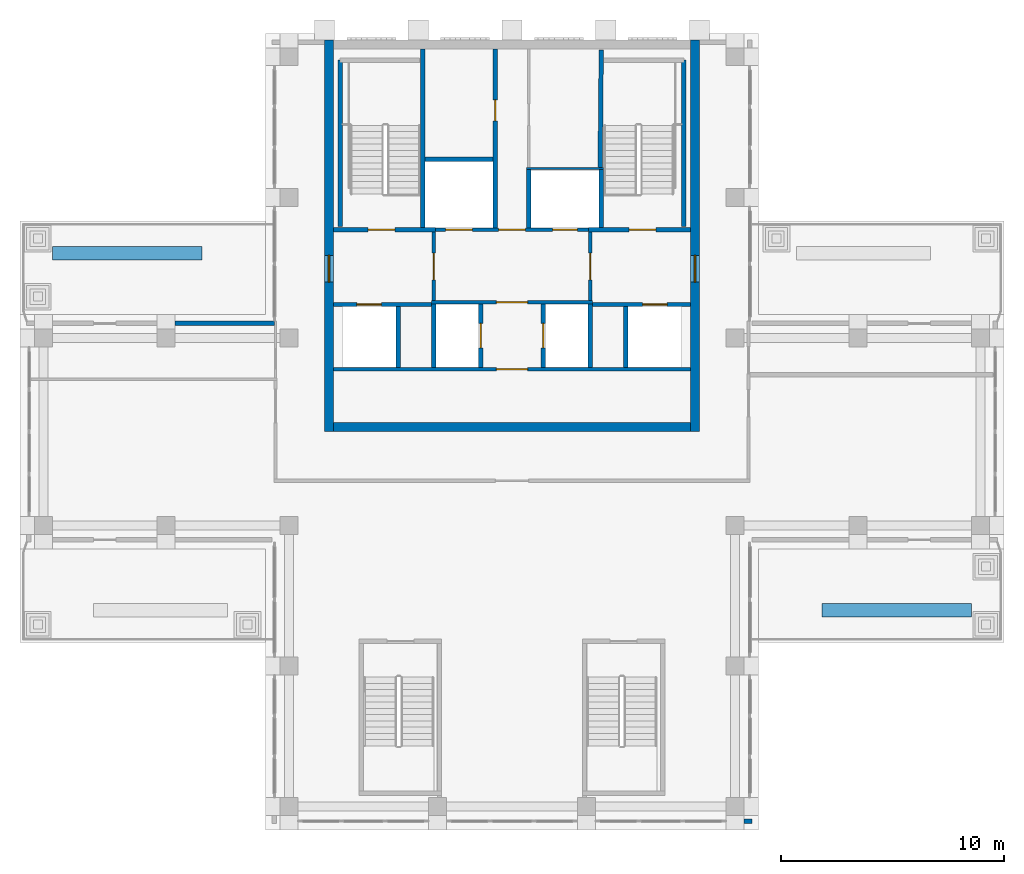
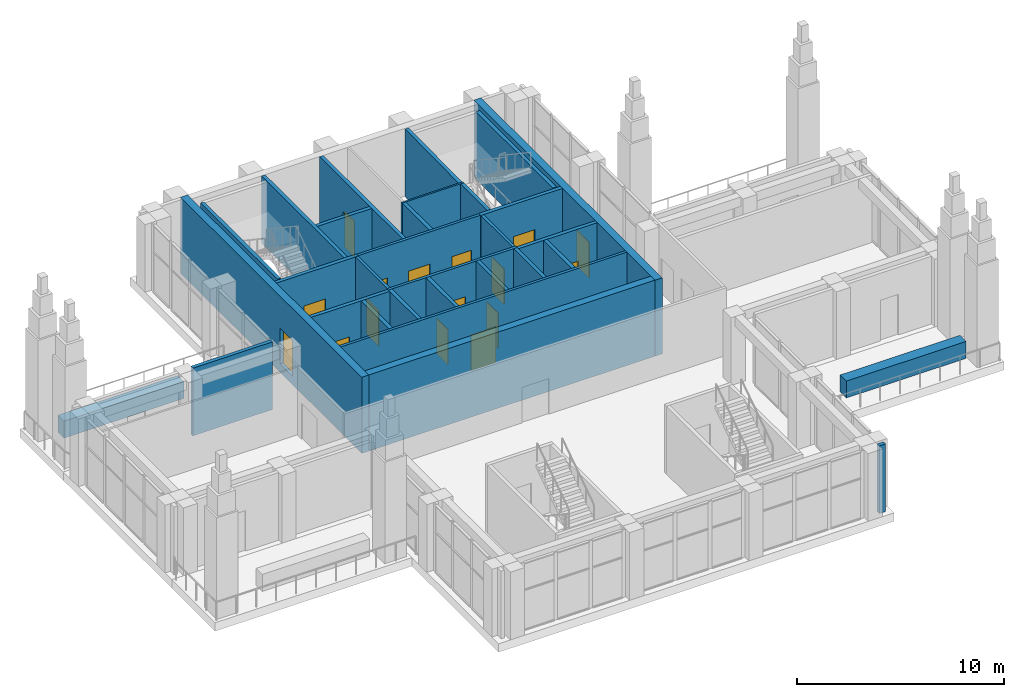
# One storey, part 9 of 14: 31 walls, 16 doors, 16 openings.
"""IFC4 building model written with IfcOpenShell, lengths in metres."""

from ifc_helpers import new_model, si_unit, direction, frame, frame_2d, origin, place, context, subcontext, project, spatial, rectangle, extrude, material, layer, layer_set, type_object, element, fill, save


model = new_model("IFC4")

# Units and contexts
model_context = context("Model", 3, precision=1e-05, world=origin(), true_north=direction((0.0, 1.0)))
body_context = subcontext(model_context, "Body", "Model", "MODEL_VIEW")
ifc_project = project(units=[si_unit("LENGTHUNIT", "METRE"), si_unit("AREAUNIT", "SQUARE_METRE"), si_unit("VOLUMEUNIT", "CUBIC_METRE"), si_unit("PLANEANGLEUNIT", "RADIAN"), si_unit("MASSUNIT", "GRAM", prefix="KILO")], contexts=[model_context])

# Site, building, storey
site_placement = place(None, origin())
site = spatial("IfcSite", under=ifc_project, at=site_placement, CompositionType="ELEMENT")
building_placement = place(site_placement, origin())
building = spatial("IfcBuilding", under=site, at=building_placement, Name="Vermilion Ogive Tower", CompositionType="ELEMENT")
storey_placement = place(building_placement, frame((0.0, 0.0, 284.85009765625)))
storey = spatial("IfcBuildingStorey", under=building, at=storey_placement, Name="L74", CompositionType="ELEMENT", Elevation=284.85009765625)

# Wall, opening, door
ifc_material_1 = material(Name="Concrete B60", Category="concrete")
ifc_layer_1 = layer(ifc_material_1, 0.39990234375)
ifc_layer_set_1 = layer_set([ifc_layer_1], Name="Core wall 400 B60")
wall_type_1 = type_object("IfcWallType", Name="Core wall 400 B60", PredefinedType="SHEAR", material=ifc_layer_set_1)
wall_1_placement = place(storey_placement, frame((8.199951171875, 4.199951171875, -0.5), z_axis=(0.0, 0.0, 1.0), x_axis=(0.0, 1.0, 0.0)))
wall_1 = element("IfcWall", 1, at=wall_1_placement, inside=storey, type_object=wall_type_1, Name="L74-CORE-E", PredefinedType="SHEAR", context=body_context, shape_type="SweptSolid", body=[
    extrude(rectangle(XDim=17.550048828125, YDim=0.39990234375, at=frame_2d((8.77490234375, 0.0))), origin(), (0.0, 0.0, 1.0), 4.5),
])
opening_1_placement = place(wall_1_placement, frame((6.699951171875, 0.0, 0.5)))
opening_1 = element("IfcOpeningElement", 2, at=opening_1_placement, cuts=wall_1, Name="Opening DAY004", PredefinedType="OPENING", context=body_context, shape_type="SweptSolid", body=[
    extrude(rectangle(XDim=1.199951171875, YDim=2.10009765625, at=frame_2d((0.60009765625, 1.050048828125))), frame((0.0, 0.2099609375, 0.0), z_axis=(0.0, -1.0, 0.0), x_axis=(1.0, 0.0, 0.0)), (0.0, 0.0, 1.0), 0.419921875),
])
ifc_material_2 = material(Name="Timber door leaf", Category="wood")
door_type_1 = type_object("IfcDoorType", Name="Link door 1200 x 2100 FD60S", OperationType="SINGLE_SWING_LEFT", PredefinedType="DOOR", material=ifc_material_2)
door_1_placement = place(opening_1_placement, origin())
door_1 = element("IfcDoor", 3, at=door_1_placement, inside=storey, type_object=door_type_1, Name="L74-CK-XD2", OperationType="SINGLE_SWING_LEFT", OverallHeight=2.10009765625, OverallWidth=1.199951171875, PredefinedType="DOOR", context=body_context, shape_type="SweptSolid", body=[
    extrude(rectangle(XDim=1.199951171875, YDim=2.10009765625, at=frame_2d((0.60009765625, 1.050048828125))), frame((0.0, 0.02490234375, 0.0), z_axis=(0.0, -1.0, 0.0), x_axis=(1.0, 0.0, 0.0)), (0.0, 0.0, 1.0), 0.050048828125),
])
fill(opening_1, door_1)

wall_2_placement = place(storey_placement, frame((-8.199951171875, 4.199951171875, -0.5), z_axis=(0.0, 0.0, 1.0), x_axis=(0.0, 1.0, 0.0)))
wall_2 = element("IfcWall", 4, at=wall_2_placement, inside=storey, type_object=wall_type_1, Name="L74-CORE-W", PredefinedType="SHEAR", context=body_context, shape_type="SweptSolid", body=[
    extrude(rectangle(XDim=17.550048828125, YDim=0.39990234375, at=frame_2d((8.77490234375, 0.0))), origin(), (0.0, 0.0, 1.0), 4.5),
])
opening_2_placement = place(wall_2_placement, frame((6.699951171875, 0.0, 0.5)))
opening_2 = element("IfcOpeningElement", 5, at=opening_2_placement, cuts=wall_2, Name="Opening DAZ004", PredefinedType="OPENING", context=body_context, shape_type="SweptSolid", body=[
    extrude(rectangle(XDim=1.199951171875, YDim=2.10009765625, at=frame_2d((0.60009765625, 1.050048828125))), frame((0.0, 0.2099609375, 0.0), z_axis=(0.0, -1.0, 0.0), x_axis=(1.0, 0.0, 0.0)), (0.0, 0.0, 1.0), 0.419921875),
])
door_2_placement = place(opening_2_placement, origin())
door_2 = element("IfcDoor", 6, at=door_2_placement, inside=storey, type_object=door_type_1, Name="L74-CK-XD1", OperationType="SINGLE_SWING_LEFT", OverallHeight=2.10009765625, OverallWidth=1.199951171875, PredefinedType="DOOR", context=body_context, shape_type="SweptSolid", body=[
    extrude(rectangle(XDim=1.199951171875, YDim=2.10009765625, at=frame_2d((0.60009765625, 1.050048828125))), frame((0.0, 0.02490234375, 0.0), z_axis=(0.0, -1.0, 0.0), x_axis=(1.0, 0.0, 0.0)), (0.0, 0.0, 1.0), 0.050048828125),
])
fill(opening_2, door_2)

# Walls
wall_3_placement = place(storey_placement, frame((-8.0, 4.39990234375, -0.5), z_axis=(0.0, 0.0, 1.0), x_axis=(1.0, 0.0, 0.0)))
element("IfcWall", 7, at=wall_3_placement, inside=storey, type_object=wall_type_1, Name="L74-CORE-S", PredefinedType="SHEAR", context=body_context, shape_type="SweptSolid", body=[
    extrude(rectangle(XDim=16.0, YDim=0.39990234375, at=frame_2d((8.0, 0.0))), origin(), (0.0, 0.0, 1.0), 4.5),
])
ifc_material_3 = material(Name="Gypsum board partition on steel studs", Category="steel")
ifc_layer_2 = layer(ifc_material_3, 0.10009765625)
ifc_layer_set_2 = layer_set([ifc_layer_2], Name="Partition 100 bath")
wall_type_2 = type_object("IfcWallType", Name="Partition 100 bath", PredefinedType="PARTITIONING", material=ifc_layer_set_2)
wall_4_placement = place(storey_placement, frame((0.64990234375, 16.0, 0.0), z_axis=(0.0, 0.0, 1.0), x_axis=(1.0, 0.0, 0.0)))
element("IfcWall", 8, at=wall_4_placement, inside=storey, type_object=wall_type_2, Name="L74-CK-W-W008", PredefinedType="PARTITIONING", context=body_context, shape_type="SweptSolid", body=[
    extrude(rectangle(XDim=3.4501953125, YDim=0.10009765625, at=frame_2d((1.72509765625, 0.0))), origin(), (0.0, 0.0, 1.0), 4.0),
])

# Wall, opening, door
ifc_material_4 = material(Name="Gypsum board partition on steel studs", Category="steel")
ifc_layer_3 = layer(ifc_material_4, 0.14990234375)
ifc_layer_set_3 = layer_set([ifc_layer_3], Name="Partition 150 corridor")
wall_type_3 = type_object("IfcWallType", Name="Partition 150 corridor", PredefinedType="PARTITIONING", material=ifc_layer_set_3)
wall_5_placement = place(storey_placement, frame((-7.9990234375, 7.0, 0.0), z_axis=(0.0, 0.0, 1.0), x_axis=(1.0, 0.0, 0.0)))
wall_5 = element("IfcWall", 9, at=wall_5_placement, inside=storey, type_object=wall_type_3, Name="L74-CK-W-W001", PredefinedType="PARTITIONING", context=body_context, shape_type="SweptSolid", body=[
    extrude(rectangle(XDim=15.998046875, YDim=0.14990234375, at=frame_2d((7.9990234375, 0.0))), origin(), (0.0, 0.0, 1.0), 4.0),
])
opening_3_placement = place(wall_5_placement, frame((7.299072265625, 0.0, 0.0)))
opening_3 = element("IfcOpeningElement", 10, at=opening_3_placement, cuts=wall_5, Name="Opening DAE043", PredefinedType="OPENING", context=body_context, shape_type="SweptSolid", body=[
    extrude(rectangle(XDim=1.39990234375, YDim=2.10009765625, at=frame_2d((0.699951171875, 1.050048828125))), frame((0.0, 0.0849609375, 0.0), z_axis=(0.0, -1.0, 0.0), x_axis=(1.0, 0.0, 0.0)), (0.0, 0.0, 1.0), 0.169921875),
])
ifc_material_5 = material(Name="Timber door leaf", Category="wood")
door_type_2 = type_object("IfcDoorType", Name="Lobby door 1400 x 2100 FD60S", OperationType="SINGLE_SWING_LEFT", PredefinedType="DOOR", material=ifc_material_5)
door_3_placement = place(opening_3_placement, origin())
door_3 = element("IfcDoor", 11, at=door_3_placement, inside=storey, type_object=door_type_2, Name="L74-CK-D-D005", OperationType="SINGLE_SWING_RIGHT", OverallHeight=2.10009765625, OverallWidth=1.39990234375, PredefinedType="DOOR", context=body_context, shape_type="SweptSolid", body=[
    extrude(rectangle(XDim=1.39990234375, YDim=2.10009765625, at=frame_2d((0.699951171875, 1.050048828125))), frame((0.0, 0.02490234375, 0.0), z_axis=(0.0, -1.0, 0.0), x_axis=(1.0, 0.0, 0.0)), (0.0, 0.0, 1.0), 0.050048828125),
])
fill(opening_3, door_3)

wall_6_placement = place(storey_placement, frame((-3.60009765625, 10.0, 0.0), z_axis=(0.0, 0.0, 1.0), x_axis=(1.0, 0.0, 0.0)))
wall_6 = element("IfcWall", 12, at=wall_6_placement, inside=storey, type_object=wall_type_3, Name="L74-CK-W-W004", PredefinedType="PARTITIONING", context=body_context, shape_type="SweptSolid", body=[
    extrude(rectangle(XDim=7.2001953125, YDim=0.14990234375, at=frame_2d((3.60009765625, 0.0))), origin(), (0.0, 0.0, 1.0), 4.0),
])
opening_4_placement = place(wall_6_placement, frame((2.900146484375, 0.0, 0.0)))
opening_4 = element("IfcOpeningElement", 13, at=opening_4_placement, cuts=wall_6, Name="Opening DAE044", PredefinedType="OPENING", context=body_context, shape_type="SweptSolid", body=[
    extrude(rectangle(XDim=1.39990234375, YDim=2.10009765625, at=frame_2d((0.699951171875, 1.050048828125))), frame((0.0, 0.0849609375, 0.0), z_axis=(0.0, -1.0, 0.0), x_axis=(1.0, 0.0, 0.0)), (0.0, 0.0, 1.0), 0.169921875),
])
door_4_placement = place(opening_4_placement, origin())
door_4 = element("IfcDoor", 14, at=door_4_placement, inside=storey, type_object=door_type_2, Name="L74-CK-D-D006", OperationType="SINGLE_SWING_RIGHT", OverallHeight=2.10009765625, OverallWidth=1.39990234375, PredefinedType="DOOR", context=body_context, shape_type="SweptSolid", body=[
    extrude(rectangle(XDim=1.39990234375, YDim=2.10009765625, at=frame_2d((0.699951171875, 1.050048828125))), frame((0.0, 0.02490234375, 0.0), z_axis=(0.0, -1.0, 0.0), x_axis=(1.0, 0.0, 0.0)), (0.0, 0.0, 1.0), 0.050048828125),
])
fill(opening_4, door_4)

# Wall, openings, doors
wall_7_placement = place(storey_placement, frame((-3.574951171875, 13.25, 0.0), z_axis=(0.0, 0.0, 1.0), x_axis=(1.0, 0.0, 0.0)))
wall_7 = element("IfcWall", 15, at=wall_7_placement, inside=storey, type_object=wall_type_3, Name="L74-CK-W-W006", PredefinedType="PARTITIONING", context=body_context, shape_type="SweptSolid", body=[
    extrude(rectangle(XDim=7.14990234375, YDim=0.14990234375, at=frame_2d((3.574951171875, 0.0))), origin(), (0.0, 0.0, 1.0), 4.0),
])
opening_5_placement = place(wall_7_placement, frame((0.599853515625, 0.0, 0.0)))
opening_5 = element("IfcOpeningElement", 16, at=opening_5_placement, cuts=wall_7, Name="Opening DAE055", PredefinedType="OPENING", context=body_context, shape_type="SweptSolid", body=[
    extrude(rectangle(XDim=1.199951171875, YDim=2.10009765625, at=frame_2d((0.60009765625, 1.050048828125))), frame((0.0, 0.0849609375, 0.0), z_axis=(0.0, -1.0, 0.0), x_axis=(1.0, 0.0, 0.0)), (0.0, 0.0, 1.0), 0.169921875),
])
opening_6_placement = place(wall_7_placement, frame((5.39990234375, 0.0, 0.0)))
opening_6 = element("IfcOpeningElement", 17, at=opening_6_placement, cuts=wall_7, Name="Opening DAE054", PredefinedType="OPENING", context=body_context, shape_type="SweptSolid", body=[
    extrude(rectangle(XDim=1.10009765625, YDim=2.10009765625, at=frame_2d((0.550048828125, 1.050048828125))), frame((0.0, 0.0849609375, 0.0), z_axis=(0.0, -1.0, 0.0), x_axis=(1.0, 0.0, 0.0)), (0.0, 0.0, 1.0), 0.169921875),
])
opening_7_placement = place(wall_7_placement, frame((2.974853515625, 0.0, 0.0)))
opening_7 = element("IfcOpeningElement", 18, at=opening_7_placement, cuts=wall_7, Name="Opening DAE045", PredefinedType="OPENING", context=body_context, shape_type="SweptSolid", body=[
    extrude(rectangle(XDim=1.199951171875, YDim=2.10009765625, at=frame_2d((0.60009765625, 1.050048828125))), frame((0.0, 0.0849609375, 0.0), z_axis=(0.0, -1.0, 0.0), x_axis=(1.0, 0.0, 0.0)), (0.0, 0.0, 1.0), 0.169921875),
])
ifc_material_6 = material(Name="Stainless steel", Category="steel")
door_type_3 = type_object("IfcDoorType", Name="Lift landing door 1100 x 2100", OperationType="SLIDING_TO_LEFT", PredefinedType="DOOR", material=ifc_material_6)
door_5_placement = place(opening_6_placement, origin())
door_5 = element("IfcDoor", 19, at=door_5_placement, inside=storey, type_object=door_type_3, Name="L74-CK-D-D010", OperationType="SLIDING_TO_LEFT", OverallHeight=2.10009765625, OverallWidth=1.10009765625, PredefinedType="DOOR", context=body_context, shape_type="SweptSolid", body=[
    extrude(rectangle(XDim=1.10009765625, YDim=2.10009765625, at=frame_2d((0.550048828125, 1.050048828125))), frame((0.0, 0.02490234375, 0.0), z_axis=(0.0, -1.0, 0.0), x_axis=(1.0, 0.0, 0.0)), (0.0, 0.0, 1.0), 0.050048828125),
])
fill(opening_6, door_5)
ifc_material_7 = material(Name="Stainless steel", Category="steel")
door_type_4 = type_object("IfcDoorType", Name="Lift landing door 1200 x 2100", OperationType="SLIDING_TO_LEFT", PredefinedType="DOOR", material=ifc_material_7)
door_6_placement = place(opening_5_placement, origin())
door_6 = element("IfcDoor", 20, at=door_6_placement, inside=storey, type_object=door_type_4, Name="L74-CK-D-D009", OperationType="SLIDING_TO_RIGHT", OverallHeight=2.10009765625, OverallWidth=1.199951171875, PredefinedType="DOOR", context=body_context, shape_type="SweptSolid", body=[
    extrude(rectangle(XDim=1.199951171875, YDim=2.10009765625, at=frame_2d((0.60009765625, 1.050048828125))), frame((0.0, 0.02490234375, 0.0), z_axis=(0.0, -1.0, 0.0), x_axis=(1.0, 0.0, 0.0)), (0.0, 0.0, 1.0), 0.050048828125),
])
fill(opening_5, door_6)
ifc_material_8 = material(Name="Timber door leaf", Category="wood")
door_type_5 = type_object("IfcDoorType", Name="Service door 1200 x 2100 FD60", OperationType="SINGLE_SWING_LEFT", PredefinedType="DOOR", material=ifc_material_8)
door_7_placement = place(opening_7_placement, origin())
door_7 = element("IfcDoor", 21, at=door_7_placement, inside=storey, type_object=door_type_5, Name="L74-CK-D-D011", OperationType="SINGLE_SWING_RIGHT", OverallHeight=2.10009765625, OverallWidth=1.199951171875, PredefinedType="DOOR", context=body_context, shape_type="SweptSolid", body=[
    extrude(rectangle(XDim=1.199951171875, YDim=2.10009765625, at=frame_2d((0.60009765625, 1.050048828125))), frame((0.0, 0.02490234375, 0.0), z_axis=(0.0, -1.0, 0.0), x_axis=(1.0, 0.0, 0.0)), (0.0, 0.0, 1.0), 0.050048828125),
])
fill(opening_7, door_7)

# Wall, opening, door
wall_8_placement = place(storey_placement, frame((-3.5, 10.074951171875, 0.0), z_axis=(0.0, 0.0, 1.0), x_axis=(0.0, 1.0, 0.0)))
wall_8 = element("IfcWall", 22, at=wall_8_placement, inside=storey, type_object=wall_type_3, Name="L74-CK-W-W013", PredefinedType="PARTITIONING", context=body_context, shape_type="SweptSolid", body=[
    extrude(rectangle(XDim=3.074951171875, YDim=0.14990234375, at=frame_2d((1.53759765625, 0.0))), origin(), (0.0, 0.0, 1.0), 4.0),
])
opening_8_placement = place(wall_8_placement, frame((0.925048828125, 0.0, 0.0)))
opening_8 = element("IfcOpeningElement", 23, at=opening_8_placement, cuts=wall_8, Name="Opening DAE041", PredefinedType="OPENING", context=body_context, shape_type="SweptSolid", body=[
    extrude(rectangle(XDim=1.199951171875, YDim=2.10009765625, at=frame_2d((0.60009765625, 1.050048828125))), frame((0.0, 0.0849609375, 0.0), z_axis=(0.0, -1.0, 0.0), x_axis=(1.0, 0.0, 0.0)), (0.0, 0.0, 1.0), 0.169921875),
])
ifc_material_9 = material(Name="Timber door leaf", Category="wood")
door_type_6 = type_object("IfcDoorType", Name="Lobby door 1200 x 2100 FD60S", OperationType="SINGLE_SWING_LEFT", PredefinedType="DOOR", material=ifc_material_9)
door_8_placement = place(opening_8_placement, origin())
door_8 = element("IfcDoor", 24, at=door_8_placement, inside=storey, type_object=door_type_6, Name="L74-CK-D-D014", OperationType="SINGLE_SWING_RIGHT", OverallHeight=2.10009765625, OverallWidth=1.199951171875, PredefinedType="DOOR", context=body_context, shape_type="SweptSolid", body=[
    extrude(rectangle(XDim=1.199951171875, YDim=2.10009765625, at=frame_2d((0.60009765625, 1.050048828125))), frame((0.0, 0.02490234375, 0.0), z_axis=(0.0, -1.0, 0.0), x_axis=(1.0, 0.0, 0.0)), (0.0, 0.0, 1.0), 0.050048828125),
])
fill(opening_8, door_8)

wall_9_placement = place(storey_placement, frame((3.5, 10.074951171875, 0.0), z_axis=(0.0, 0.0, 1.0), x_axis=(0.0, 1.0, 0.0)))
wall_9 = element("IfcWall", 25, at=wall_9_placement, inside=storey, type_object=wall_type_3, Name="L74-CK-W-W020", PredefinedType="PARTITIONING", context=body_context, shape_type="SweptSolid", body=[
    extrude(rectangle(XDim=3.074951171875, YDim=0.14990234375, at=frame_2d((1.53759765625, 0.0))), origin(), (0.0, 0.0, 1.0), 4.0),
])
opening_9_placement = place(wall_9_placement, frame((0.925048828125, 0.0, 0.0)))
opening_9 = element("IfcOpeningElement", 26, at=opening_9_placement, cuts=wall_9, Name="Opening DAE042", PredefinedType="OPENING", context=body_context, shape_type="SweptSolid", body=[
    extrude(rectangle(XDim=1.199951171875, YDim=2.10009765625, at=frame_2d((0.60009765625, 1.050048828125))), frame((0.0, 0.0849609375, 0.0), z_axis=(0.0, -1.0, 0.0), x_axis=(1.0, 0.0, 0.0)), (0.0, 0.0, 1.0), 0.169921875),
])
door_9_placement = place(opening_9_placement, origin())
door_9 = element("IfcDoor", 27, at=door_9_placement, inside=storey, type_object=door_type_6, Name="L74-CK-D-D015", OperationType="SINGLE_SWING_LEFT", OverallHeight=2.10009765625, OverallWidth=1.199951171875, PredefinedType="DOOR", context=body_context, shape_type="SweptSolid", body=[
    extrude(rectangle(XDim=1.199951171875, YDim=2.10009765625, at=frame_2d((0.60009765625, 1.050048828125))), frame((0.0, 0.02490234375, 0.0), z_axis=(0.0, -1.0, 0.0), x_axis=(1.0, 0.0, 0.0)), (0.0, 0.0, 1.0), 0.050048828125),
])
fill(opening_9, door_9)

ifc_material_10 = material(Name="Gypsum board partition on steel studs", Category="steel")
ifc_layer_4 = layer(ifc_material_10, 0.199951171875)
ifc_layer_set_4 = layer_set([ifc_layer_4], Name="Partition 200 party")
wall_type_4 = type_object("IfcWallType", Name="Partition 200 party", PredefinedType="PARTITIONING", material=ifc_layer_set_4)
wall_10_placement = place(storey_placement, frame((-7.9990234375, 9.89990234375, 0.0), z_axis=(0.0, 0.0, 1.0), x_axis=(1.0, 0.0, 0.0)))
wall_10 = element("IfcWall", 28, at=wall_10_placement, inside=storey, type_object=wall_type_4, Name="L74-CK-W-W002", PredefinedType="PARTITIONING", context=body_context, shape_type="SweptSolid", body=[
    extrude(rectangle(XDim=4.39892578125, YDim=0.199951171875, at=frame_2d((2.199462890625, 0.0))), origin(), (0.0, 0.0, 1.0), 4.0),
])
opening_10_placement = place(wall_10_placement, frame((1.049072265625, 0.0, 0.0)))
opening_10 = element("IfcOpeningElement", 29, at=opening_10_placement, cuts=wall_10, Name="Opening DAE050", PredefinedType="OPENING", context=body_context, shape_type="SweptSolid", body=[
    extrude(rectangle(XDim=1.10009765625, YDim=2.10009765625, at=frame_2d((0.550048828125, 1.050048828125))), frame((0.0, 0.10986328125, 0.0), z_axis=(0.0, -1.0, 0.0), x_axis=(1.0, 0.0, 0.0)), (0.0, 0.0, 1.0), 0.219970703125),
])
door_10_placement = place(opening_10_placement, origin())
door_10 = element("IfcDoor", 30, at=door_10_placement, inside=storey, type_object=door_type_3, Name="L74-CK-D-D002", OperationType="SLIDING_TO_LEFT", OverallHeight=2.10009765625, OverallWidth=1.10009765625, PredefinedType="DOOR", context=body_context, shape_type="SweptSolid", body=[
    extrude(rectangle(XDim=1.10009765625, YDim=2.10009765625, at=frame_2d((0.550048828125, 1.050048828125))), frame((0.0, 0.02490234375, 0.0), z_axis=(0.0, -1.0, 0.0), x_axis=(1.0, 0.0, 0.0)), (0.0, 0.0, 1.0), 0.050048828125),
])
fill(opening_10, door_10)

wall_11_placement = place(storey_placement, frame((3.60009765625, 9.89990234375, 0.0), z_axis=(0.0, 0.0, 1.0), x_axis=(1.0, 0.0, 0.0)))
wall_11 = element("IfcWall", 31, at=wall_11_placement, inside=storey, type_object=wall_type_4, Name="L74-CK-W-W003", PredefinedType="PARTITIONING", context=body_context, shape_type="SweptSolid", body=[
    extrude(rectangle(XDim=4.39892578125, YDim=0.199951171875, at=frame_2d((2.199462890625, 0.0))), origin(), (0.0, 0.0, 1.0), 4.0),
])
opening_11_placement = place(wall_11_placement, frame((2.25, 0.0, 0.0)))
opening_11 = element("IfcOpeningElement", 32, at=opening_11_placement, cuts=wall_11, Name="Opening DAE051", PredefinedType="OPENING", context=body_context, shape_type="SweptSolid", body=[
    extrude(rectangle(XDim=1.10009765625, YDim=2.10009765625, at=frame_2d((0.550048828125, 1.050048828125))), frame((0.0, 0.10986328125, 0.0), z_axis=(0.0, -1.0, 0.0), x_axis=(1.0, 0.0, 0.0)), (0.0, 0.0, 1.0), 0.219970703125),
])
door_11_placement = place(opening_11_placement, origin())
door_11 = element("IfcDoor", 33, at=door_11_placement, inside=storey, type_object=door_type_3, Name="L74-CK-D-D004", OperationType="SLIDING_TO_LEFT", OverallHeight=2.10009765625, OverallWidth=1.10009765625, PredefinedType="DOOR", context=body_context, shape_type="SweptSolid", body=[
    extrude(rectangle(XDim=1.10009765625, YDim=2.10009765625, at=frame_2d((0.550048828125, 1.050048828125))), frame((0.0, 0.02490234375, 0.0), z_axis=(0.0, -1.0, 0.0), x_axis=(1.0, 0.0, 0.0)), (0.0, 0.0, 1.0), 0.050048828125),
])
fill(opening_11, door_11)

# Walls
wall_12_placement = place(storey_placement, frame((-3.89990234375, 16.39990234375, 0.0), z_axis=(0.0, 0.0, 1.0), x_axis=(1.0, 0.0, 0.0)))
element("IfcWall", 34, at=wall_12_placement, inside=storey, type_object=wall_type_4, Name="L74-CK-W-W009", PredefinedType="PARTITIONING", context=body_context, shape_type="SweptSolid", body=[
    extrude(rectangle(XDim=3.0498046875, YDim=0.199951171875, at=frame_2d((1.52490234375, 0.0))), origin(), (0.0, 0.0, 1.0), 4.0),
])
wall_13_placement = place(storey_placement, frame((-5.10009765625, 7.074951171875, 0.0), z_axis=(0.0, 0.0, 1.0), x_axis=(0.0, 1.0, 0.0)))
element("IfcWall", 35, at=wall_13_placement, inside=storey, type_object=wall_type_4, Name="L74-CK-W-W010", PredefinedType="PARTITIONING", context=body_context, shape_type="SweptSolid", body=[
    extrude(rectangle(XDim=2.72509765625, YDim=0.199951171875, at=frame_2d((1.362548828125, 0.0))), origin(), (0.0, 0.0, 1.0), 4.0),
])
wall_14_placement = place(storey_placement, frame((-3.5, 7.074951171875, 0.0), z_axis=(0.0, 0.0, 1.0), x_axis=(0.0, 1.0, 0.0)))
element("IfcWall", 36, at=wall_14_placement, inside=storey, type_object=wall_type_4, Name="L74-CK-W-W012", PredefinedType="PARTITIONING", context=body_context, shape_type="SweptSolid", body=[
    extrude(rectangle(XDim=2.85009765625, YDim=0.199951171875, at=frame_2d((1.425048828125, 0.0))), origin(), (0.0, 0.0, 1.0), 4.0),
])

# Wall, opening, door
wall_15_placement = place(storey_placement, frame((-1.39990234375, 7.074951171875, 0.0), z_axis=(0.0, 0.0, 1.0), x_axis=(0.0, 1.0, 0.0)))
wall_15 = element("IfcWall", 37, at=wall_15_placement, inside=storey, type_object=wall_type_4, Name="L74-CK-W-W014", PredefinedType="PARTITIONING", context=body_context, shape_type="SweptSolid", body=[
    extrude(rectangle(XDim=2.85009765625, YDim=0.199951171875, at=frame_2d((1.425048828125, 0.0))), origin(), (0.0, 0.0, 1.0), 4.0),
])
opening_12_placement = place(wall_15_placement, frame((0.875, 0.0, 0.0)))
opening_12 = element("IfcOpeningElement", 38, at=opening_12_placement, cuts=wall_15, Name="Opening DAE052", PredefinedType="OPENING", context=body_context, shape_type="SweptSolid", body=[
    extrude(rectangle(XDim=1.10009765625, YDim=2.10009765625, at=frame_2d((0.550048828125, 1.050048828125))), frame((0.0, 0.10986328125, 0.0), z_axis=(0.0, -1.0, 0.0), x_axis=(1.0, 0.0, 0.0)), (0.0, 0.0, 1.0), 0.219970703125),
])
door_12_placement = place(opening_12_placement, origin())
door_12 = element("IfcDoor", 39, at=door_12_placement, inside=storey, type_object=door_type_3, Name="L74-CK-D-D007", OperationType="SLIDING_TO_RIGHT", OverallHeight=2.10009765625, OverallWidth=1.10009765625, PredefinedType="DOOR", context=body_context, shape_type="SweptSolid", body=[
    extrude(rectangle(XDim=1.10009765625, YDim=2.10009765625, at=frame_2d((0.550048828125, 1.050048828125))), frame((0.0, 0.02490234375, 0.0), z_axis=(0.0, -1.0, 0.0), x_axis=(1.0, 0.0, 0.0)), (0.0, 0.0, 1.0), 0.050048828125),
])
fill(opening_12, door_12)

wall_16_placement = place(storey_placement, frame((-0.75, 13.324951171875, 0.0), z_axis=(0.0, 0.0, 1.0), x_axis=(0.0, 1.0, 0.0)))
wall_16 = element("IfcWall", 40, at=wall_16_placement, inside=storey, type_object=wall_type_4, Name="L74-CK-W-W015", PredefinedType="PARTITIONING", context=body_context, shape_type="SweptSolid", body=[
    extrude(rectangle(XDim=8.024169921875, YDim=0.199951171875, at=frame_2d((4.01220703125, 0.0))), origin(), (0.0, 0.0, 1.0), 4.0),
])
opening_13_placement = place(wall_16_placement, frame((4.800048828125, 0.0, 0.0)))
opening_13 = element("IfcOpeningElement", 41, at=opening_13_placement, cuts=wall_16, Name="Opening DAE046", PredefinedType="OPENING", context=body_context, shape_type="SweptSolid", body=[
    extrude(rectangle(XDim=0.949951171875, YDim=2.10009765625, at=frame_2d((0.47509765625, 1.050048828125))), frame((0.0, 0.10986328125, 0.0), z_axis=(0.0, -1.0, 0.0), x_axis=(1.0, 0.0, 0.0)), (0.0, 0.0, 1.0), 0.219970703125),
])
ifc_material_11 = material(Name="Timber door leaf", Category="wood")
door_type_7 = type_object("IfcDoorType", Name="Service door 950 x 2100 FD60", OperationType="SINGLE_SWING_LEFT", PredefinedType="DOOR", material=ifc_material_11)
door_13_placement = place(opening_13_placement, origin())
door_13 = element("IfcDoor", 42, at=door_13_placement, inside=storey, type_object=door_type_7, Name="L74-CK-D-D012", OperationType="SINGLE_SWING_RIGHT", OverallHeight=2.10009765625, OverallWidth=0.949951171875, PredefinedType="DOOR", context=body_context, shape_type="SweptSolid", body=[
    extrude(rectangle(XDim=0.949951171875, YDim=2.10009765625, at=frame_2d((0.47509765625, 1.050048828125))), frame((0.0, 0.02490234375, 0.0), z_axis=(0.0, -1.0, 0.0), x_axis=(1.0, 0.0, 0.0)), (0.0, 0.0, 1.0), 0.050048828125),
])
fill(opening_13, door_13)

# Wall
wall_17_placement = place(storey_placement, frame((0.75, 13.324951171875, 0.0), z_axis=(0.0, 0.0, 1.0), x_axis=(0.0, 1.0, 0.0)))
element("IfcWall", 43, at=wall_17_placement, inside=storey, type_object=wall_type_4, Name="L74-CK-W-W016", PredefinedType="PARTITIONING", context=body_context, shape_type="SweptSolid", body=[
    extrude(rectangle(XDim=2.625, YDim=0.199951171875, at=frame_2d((1.3125, 0.0))), origin(), (0.0, 0.0, 1.0), 4.0),
])

# Wall, opening, door
wall_18_placement = place(storey_placement, frame((1.39990234375, 7.074951171875, 0.0), z_axis=(0.0, 0.0, 1.0), x_axis=(0.0, 1.0, 0.0)))
wall_18 = element("IfcWall", 44, at=wall_18_placement, inside=storey, type_object=wall_type_4, Name="L74-CK-W-W018", PredefinedType="PARTITIONING", context=body_context, shape_type="SweptSolid", body=[
    extrude(rectangle(XDim=2.85009765625, YDim=0.199951171875, at=frame_2d((1.425048828125, 0.0))), origin(), (0.0, 0.0, 1.0), 4.0),
])
opening_14_placement = place(wall_18_placement, frame((0.875, 0.0, 0.0)))
opening_14 = element("IfcOpeningElement", 45, at=opening_14_placement, cuts=wall_18, Name="Opening DAE053", PredefinedType="OPENING", context=body_context, shape_type="SweptSolid", body=[
    extrude(rectangle(XDim=1.10009765625, YDim=2.10009765625, at=frame_2d((0.550048828125, 1.050048828125))), frame((0.0, 0.10986328125, 0.0), z_axis=(0.0, -1.0, 0.0), x_axis=(1.0, 0.0, 0.0)), (0.0, 0.0, 1.0), 0.219970703125),
])
door_14_placement = place(opening_14_placement, origin())
door_14 = element("IfcDoor", 46, at=door_14_placement, inside=storey, type_object=door_type_3, Name="L74-CK-D-D008", OperationType="SLIDING_TO_RIGHT", OverallHeight=2.10009765625, OverallWidth=1.10009765625, PredefinedType="DOOR", context=body_context, shape_type="SweptSolid", body=[
    extrude(rectangle(XDim=1.10009765625, YDim=2.10009765625, at=frame_2d((0.550048828125, 1.050048828125))), frame((0.0, 0.02490234375, 0.0), z_axis=(0.0, -1.0, 0.0), x_axis=(1.0, 0.0, 0.0)), (0.0, 0.0, 1.0), 0.050048828125),
])
fill(opening_14, door_14)

# Walls
wall_19_placement = place(storey_placement, frame((3.5, 7.074951171875, 0.0), z_axis=(0.0, 0.0, 1.0), x_axis=(0.0, 1.0, 0.0)))
element("IfcWall", 47, at=wall_19_placement, inside=storey, type_object=wall_type_4, Name="L74-CK-W-W019", PredefinedType="PARTITIONING", context=body_context, shape_type="SweptSolid", body=[
    extrude(rectangle(XDim=2.85009765625, YDim=0.199951171875, at=frame_2d((1.425048828125, 0.0))), origin(), (0.0, 0.0, 1.0), 4.0),
])
wall_20_placement = place(storey_placement, frame((5.10009765625, 7.074951171875, 0.0), z_axis=(0.0, 0.0, 1.0), x_axis=(0.0, 1.0, 0.0)))
element("IfcWall", 48, at=wall_20_placement, inside=storey, type_object=wall_type_4, Name="L74-CK-W-W023", PredefinedType="PARTITIONING", context=body_context, shape_type="SweptSolid", body=[
    extrude(rectangle(XDim=2.72509765625, YDim=0.199951171875, at=frame_2d((1.362548828125, 0.0))), origin(), (0.0, 0.0, 1.0), 4.0),
])

# Wall, opening, door
ifc_material_12 = material(Name="Concrete B60", Category="concrete")
ifc_layer_5 = layer(ifc_material_12, 0.199951171875)
ifc_layer_set_5 = layer_set([ifc_layer_5], Name="Stair shaft wall 200 Concrete B60")
wall_type_5 = type_object("IfcWallType", Name="Stair shaft wall 200 Concrete B60", PredefinedType="SOLIDWALL", material=ifc_layer_set_5)
wall_21_placement = place(storey_placement, frame((-7.9990234375, 13.25, 0.0), z_axis=(0.0, 0.0, 1.0), x_axis=(1.0, 0.0, 0.0)))
wall_21 = element("IfcWall", 49, at=wall_21_placement, inside=storey, type_object=wall_type_5, Name="L74-CK-W-W005", PredefinedType="SOLIDWALL", context=body_context, shape_type="SweptSolid", body=[
    extrude(rectangle(XDim=4.573974609375, YDim=0.199951171875, at=frame_2d((2.287109375, 0.0))), origin(), (0.0, 0.0, 1.0), 4.0),
])
opening_15_placement = place(wall_21_placement, frame((1.549072265625, 0.0, 0.0)))
opening_15 = element("IfcOpeningElement", 50, at=opening_15_placement, cuts=wall_21, Name="Opening DAE048", PredefinedType="OPENING", context=body_context, shape_type="SweptSolid", body=[
    extrude(rectangle(XDim=1.199951171875, YDim=2.10009765625, at=frame_2d((0.60009765625, 1.050048828125))), frame((0.0, 0.10986328125, 0.0), z_axis=(0.0, -1.0, 0.0), x_axis=(1.0, 0.0, 0.0)), (0.0, 0.0, 1.0), 0.219970703125),
])
ifc_material_13 = material(Name="Timber door leaf", Category="wood")
door_type_8 = type_object("IfcDoorType", Name="Stair door 1200 x 2100 FD60S", OperationType="SINGLE_SWING_LEFT", PredefinedType="DOOR", material=ifc_material_13)
door_15_placement = place(opening_15_placement, origin())
door_15 = element("IfcDoor", 51, at=door_15_placement, inside=storey, type_object=door_type_8, Name="L74-CK-D-D001", OperationType="SINGLE_SWING_LEFT", OverallHeight=2.10009765625, OverallWidth=1.199951171875, PredefinedType="DOOR", context=body_context, shape_type="SweptSolid", body=[
    extrude(rectangle(XDim=1.199951171875, YDim=2.10009765625, at=frame_2d((0.60009765625, 1.050048828125))), frame((0.0, 0.02490234375, 0.0), z_axis=(0.0, -1.0, 0.0), x_axis=(1.0, 0.0, 0.0)), (0.0, 0.0, 1.0), 0.050048828125),
])
fill(opening_15, door_15)

wall_22_placement = place(storey_placement, frame((3.425048828125, 13.25, 0.0), z_axis=(0.0, 0.0, 1.0), x_axis=(1.0, 0.0, 0.0)))
wall_22 = element("IfcWall", 52, at=wall_22_placement, inside=storey, type_object=wall_type_5, Name="L74-CK-W-W007", PredefinedType="SOLIDWALL", context=body_context, shape_type="SweptSolid", body=[
    extrude(rectangle(XDim=4.573974609375, YDim=0.199951171875, at=frame_2d((2.287109375, 0.0))), origin(), (0.0, 0.0, 1.0), 4.0),
])
opening_16_placement = place(wall_22_placement, frame((1.824951171875, 0.0, 0.0)))
opening_16 = element("IfcOpeningElement", 53, at=opening_16_placement, cuts=wall_22, Name="Opening DAE049", PredefinedType="OPENING", context=body_context, shape_type="SweptSolid", body=[
    extrude(rectangle(XDim=1.199951171875, YDim=2.10009765625, at=frame_2d((0.60009765625, 1.050048828125))), frame((0.0, 0.10986328125, 0.0), z_axis=(0.0, -1.0, 0.0), x_axis=(1.0, 0.0, 0.0)), (0.0, 0.0, 1.0), 0.219970703125),
])
door_16_placement = place(opening_16_placement, origin())
door_16 = element("IfcDoor", 54, at=door_16_placement, inside=storey, type_object=door_type_8, Name="L74-CK-D-D003", OperationType="SINGLE_SWING_RIGHT", OverallHeight=2.10009765625, OverallWidth=1.199951171875, PredefinedType="DOOR", context=body_context, shape_type="SweptSolid", body=[
    extrude(rectangle(XDim=1.199951171875, YDim=2.10009765625, at=frame_2d((0.60009765625, 1.050048828125))), frame((0.0, 0.02490234375, 0.0), z_axis=(0.0, -1.0, 0.0), x_axis=(1.0, 0.0, 0.0)), (0.0, 0.0, 1.0), 0.050048828125),
])
fill(opening_16, door_16)

# Walls
wall_23_placement = place(storey_placement, frame((-4.0, 13.35009765625, 0.0), z_axis=(0.0, 0.0, 1.0), x_axis=(0.0, 1.0, 0.0)))
element("IfcWall", 55, at=wall_23_placement, inside=storey, type_object=wall_type_5, Name="L74-CK-W-W011", PredefinedType="SOLIDWALL", context=body_context, shape_type="SweptSolid", body=[
    extrude(rectangle(XDim=7.9990234375, YDim=0.199951171875, at=frame_2d((3.99951171875, 0.0))), origin(), (0.0, 0.0, 1.0), 4.0),
])
wall_24_placement = place(storey_placement, frame((4.0, 13.35009765625, 0.0), z_axis=(0.0, 0.0, 1.0), x_axis=(0.0, 1.0, 0.0)))
element("IfcWall", 56, at=wall_24_placement, inside=storey, type_object=wall_type_5, Name="L74-CK-W-W021", PredefinedType="SOLIDWALL", context=body_context, shape_type="SweptSolid", body=[
    extrude(rectangle(XDim=2.599853515625, YDim=0.199951171875, at=frame_2d((1.2998046875, 0.0))), origin(), (0.0, 0.0, 1.0), 4.0),
])
wall_25_placement = place(storey_placement, frame((3.949951171875, 16.050048828125, 0.0), z_axis=(0.0, 0.0, 1.0), x_axis=(0.009534450323, 0.999954546095, 0.0)))
element("IfcWall", 57, at=wall_25_placement, inside=storey, type_object=wall_type_5, Name="L74-CK-W-W022", PredefinedType="SOLIDWALL", context=body_context, shape_type="SweptSolid", body=[
    extrude(rectangle(XDim=5.249267578125, YDim=0.199951171875, at=frame_2d((2.62451171875, 0.0))), origin(), (0.0, 0.0, 1.0), 4.0),
])
for number, where, z_axis, x_axis, name in (
    (58, (-7.699951171875, 13.39990234375, 0.0), (0.0, 0.0, 1.0), (0.0, 1.0, 0.0), "L74-SW-R003-W1"),
    (59, (7.699951171875, 13.39990234375, 0.0), (0.0, 0.0, 1.0), (0.0, 1.0, 0.0), "L74-SW-R007-E1"),
):
    element("IfcWall", number, at=place(storey_placement, frame(where, z_axis=z_axis, x_axis=x_axis)), inside=storey, type_object=wall_type_5, Name=name, PredefinedType="SOLIDWALL", context=body_context, shape_type="SweptSolid", body=[
        extrude(rectangle(XDim=7.4501953125, YDim=0.199951171875, at=frame_2d((3.72509765625, 0.0))), origin(), (0.0, 0.0, 1.0), 4.0),
    ])
ifc_material_14 = material(Name="Concrete B40", Category="concrete")
ifc_layer_6 = layer(ifc_material_14, 0.60009765625)
ifc_layer_set_6 = layer_set([ifc_layer_6], Name="Terrace planter")
wall_type_6 = type_object("IfcWallType", Name="Terrace planter", PredefinedType="USERDEFINED", material=ifc_layer_set_6)
for number, where, z_axis, x_axis, name in (
    (60, (-20.60009765625, 12.199951171875, 0.0), (0.0, 0.0, 1.0), (1.0, 0.0, 0.0), "Terrace planter 2.1.1"),
    (61, (20.60009765625, -3.800048828125, 0.0), (0.0, 0.0, 1.0), (-1.0, 0.0, 0.0), "Terrace planter 4.1.1"),
):
    element("IfcWall", number, at=place(storey_placement, frame(where, z_axis=z_axis, x_axis=x_axis)), inside=storey, type_object=wall_type_6, Name=name, ObjectType="PLANTER", PredefinedType="USERDEFINED", context=body_context, shape_type="SweptSolid", body=[
        extrude(rectangle(XDim=6.7001953125, YDim=0.60009765625, at=frame_2d((3.35009765625, 0.0))), origin(), (0.0, 0.0, 1.0), 1.0),
    ])
ifc_material_15 = material(Name="Aluminium window wall framing", Category="aluminium")
ifc_layer_7 = layer(ifc_material_15, 0.199951171875)
ifc_layer_set_7 = layer_set([ifc_layer_7], Name="Window wall")
wall_type_7 = type_object("IfcWallType", Name="Window wall", PredefinedType="STANDARD", material=ifc_layer_set_7)
wall_26_placement = place(storey_placement, frame((10.39990234375, -13.25, 0.0), z_axis=(0.0, 0.0, 1.0), x_axis=(1.0, 0.0, 0.0)))
element("IfcWall", 62, at=wall_26_placement, inside=storey, type_object=wall_type_7, Name="Window wall S4", PredefinedType="STANDARD", context=body_context, shape_type="SweptSolid", body=[
    extrude(rectangle(XDim=0.35009765625, YDim=0.199951171875, at=frame_2d((0.175048828125, 0.0))), origin(), (0.0, 0.0, 1.0), 4.0),
])
wall_27_placement = place(storey_placement, frame((-10.650146484375, 9.050048828125, 0.0), z_axis=(0.0, 0.0, 1.0), x_axis=(-1.0, 0.0, 0.0)))
element("IfcWall", 63, at=wall_27_placement, inside=storey, type_object=wall_type_7, Name="Window wall X61", PredefinedType="STANDARD", context=body_context, shape_type="SweptSolid", body=[
    extrude(rectangle(XDim=4.449951171875, YDim=0.199951171875, at=frame_2d((2.22509765625, 0.0))), origin(), (0.0, 0.0, 1.0), 4.0),
])

save(model, "model.ifc")
